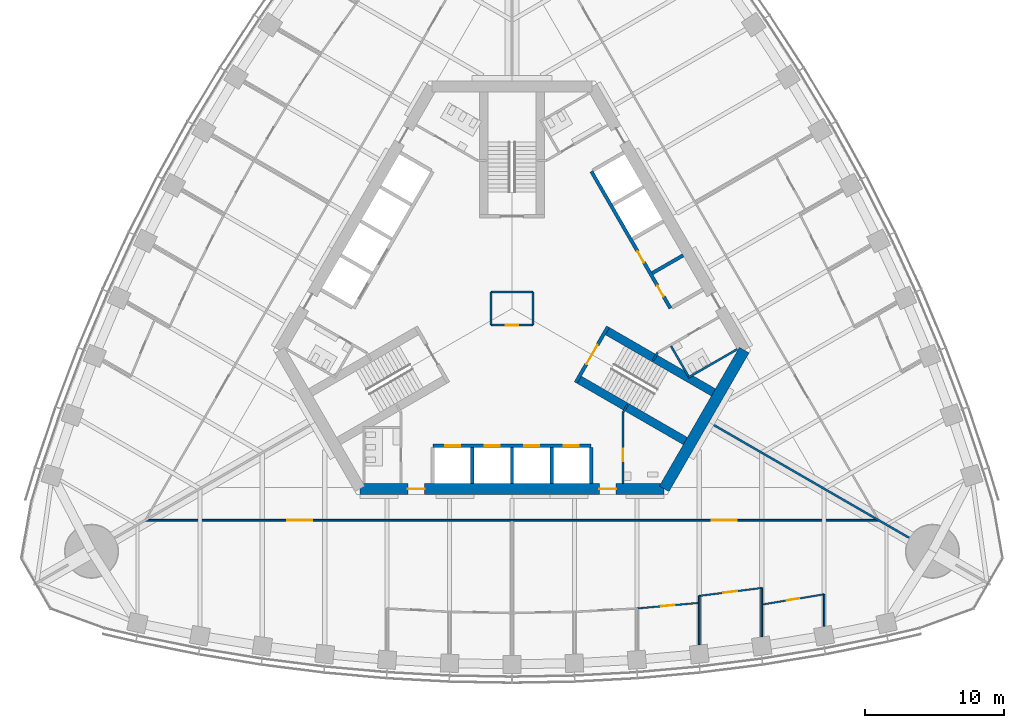
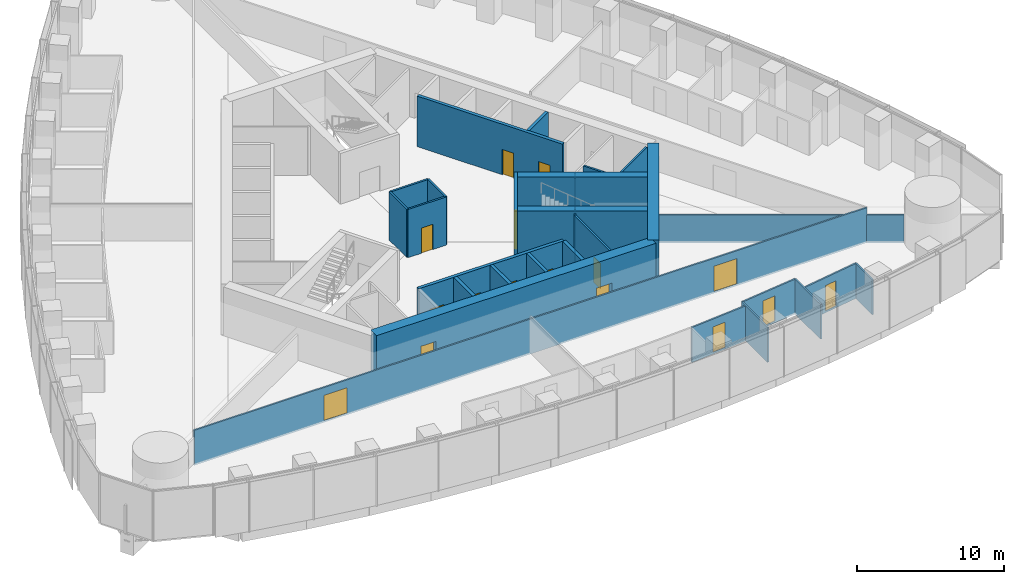
# One storey, part 12 of 19: 29 walls, 16 doors, 16 openings.
"""IFC4 building model written with IfcOpenShell, lengths in metres."""

from ifc_helpers import new_model, si_unit, direction, frame, frame_2d, origin, place, context, subcontext, project, spatial, rectangle, extrude, material, layer, layer_set, type_object, element, fill, save


model = new_model("IFC4")

# Units and contexts
model_context = context("Model", 3, precision=1e-05, world=origin(), true_north=direction((0.0, 1.0)))
body_context = subcontext(model_context, "Body", "Model", "MODEL_VIEW")
ifc_project = project(units=[si_unit("LENGTHUNIT", "METRE"), si_unit("AREAUNIT", "SQUARE_METRE"), si_unit("VOLUMEUNIT", "CUBIC_METRE"), si_unit("PLANEANGLEUNIT", "RADIAN"), si_unit("MASSUNIT", "GRAM", prefix="KILO")], contexts=[model_context])

# Site, building, storey
site_placement = place(None, origin())
site = spatial("IfcSite", under=ifc_project, at=site_placement, CompositionType="ELEMENT")
building_placement = place(site_placement, origin())
building = spatial("IfcBuilding", under=site, at=building_placement, Name="Trefoil Bronze Tower", CompositionType="ELEMENT")
storey_placement = place(building_placement, frame((0.0, 0.0, 132.5)))
storey = spatial("IfcBuildingStorey", under=building, at=storey_placement, Name="L30", CompositionType="ELEMENT", Elevation=132.5)

# Wall, openings, doors
ifc_material_1 = material(Name="Concrete B80", Category="concrete")
ifc_layer_1 = layer(ifc_material_1, 0.800048828125)
ifc_layer_set_1 = layer_set([ifc_layer_1], Name="Core wall 800")
wall_type_1 = type_object("IfcWallType", Name="Core wall 800", PredefinedType="SHEAR", material=ifc_layer_set_1)
wall_1_placement = place(storey_placement, frame((-10.9697265625, -13.0, 0.0), z_axis=(0.0, 0.0, 1.0), x_axis=(1.0, 0.0, 0.0)))
wall_1 = element("IfcWall", 1, at=wall_1_placement, inside=storey, type_object=wall_type_1, Name="Core long wall 1 L30", PredefinedType="SHEAR", context=body_context, shape_type="SweptSolid", body=[
    extrude(rectangle(XDim=21.939453125, YDim=0.800048828125, at=frame_2d((10.9697265625, 0.0))), origin(), (0.0, 0.0, 1.0), 4.199951171875),
])
opening_1_placement = place(wall_1_placement, frame((17.269775390625, 0.0, 0.0)))
opening_1 = element("IfcOpeningElement", 2, at=opening_1_placement, cuts=wall_1, Name="Opening D2", PredefinedType="OPENING", context=body_context, shape_type="SweptSolid", body=[
    extrude(rectangle(XDim=1.199951171875, YDim=2.10009765625, at=frame_2d((0.60009765625, 1.050048828125))), frame((0.0, 0.409912109375, 0.0), z_axis=(0.0, -1.0, 0.0), x_axis=(1.0, 0.0, 0.0)), (0.0, 0.0, 1.0), 0.820068359375),
])
opening_2_placement = place(wall_1_placement, frame((3.4697265625, 0.0, 0.0)))
opening_2 = element("IfcOpeningElement", 3, at=opening_2_placement, cuts=wall_1, Name="Opening D2", PredefinedType="OPENING", context=body_context, shape_type="SweptSolid", body=[
    extrude(rectangle(XDim=1.199951171875, YDim=2.10009765625, at=frame_2d((0.60009765625, 1.050048828125))), frame((0.0, 0.409912109375, 0.0), z_axis=(0.0, -1.0, 0.0), x_axis=(1.0, 0.0, 0.0)), (0.0, 0.0, 1.0), 0.820068359375),
])
ifc_material_2 = material(Name="Steel door", Category="steel")
door_type_1 = type_object("IfcDoorType", Name="Lobby door 1200", OperationType="SINGLE_SWING_RIGHT", PredefinedType="DOOR", material=ifc_material_2)
door_1_placement = place(opening_1_placement, origin())
door_1 = element("IfcDoor", 4, at=door_1_placement, inside=storey, type_object=door_type_1, Name="Lobby door F1+ L30", OperationType="SINGLE_SWING_RIGHT", OverallHeight=2.10009765625, OverallWidth=1.199951171875, PredefinedType="DOOR", context=body_context, shape_type="SweptSolid", body=[
    extrude(rectangle(XDim=1.199951171875, YDim=2.10009765625, at=frame_2d((0.60009765625, 1.050048828125))), frame((0.0, 0.02490234375, 0.0), z_axis=(0.0, -1.0, 0.0), x_axis=(1.0, 0.0, 0.0)), (0.0, 0.0, 1.0), 0.050048828125),
])
fill(opening_1, door_1)
door_2_placement = place(opening_2_placement, origin())
door_2 = element("IfcDoor", 5, at=door_2_placement, inside=storey, type_object=door_type_1, Name="Lobby door F1- L30", OperationType="SINGLE_SWING_LEFT", OverallHeight=2.10009765625, OverallWidth=1.199951171875, PredefinedType="DOOR", context=body_context, shape_type="SweptSolid", body=[
    extrude(rectangle(XDim=1.199951171875, YDim=2.10009765625, at=frame_2d((0.60009765625, 1.050048828125))), frame((0.0, 0.02490234375, 0.0), z_axis=(0.0, -1.0, 0.0), x_axis=(1.0, 0.0, 0.0)), (0.0, 0.0, 1.0), 0.050048828125),
])
fill(opening_2, door_2)

# Wall
wall_2_placement = place(storey_placement, frame((10.9697265625, -13.0, 0.0), z_axis=(0.0, 0.0, 1.0), x_axis=(0.499995765644, 0.866027848477, 0.0)))
element("IfcWall", 6, at=wall_2_placement, inside=storey, type_object=wall_type_1, Name="Core short wall 1 L30", PredefinedType="SHEAR", context=body_context, shape_type="SweptSolid", body=[
    extrude(rectangle(XDim=11.546875, YDim=0.800048828125, at=frame_2d((5.7734375, 0.0))), origin(), (0.0, 0.0, 1.0), 4.199951171875),
])

# Wall, openings, doors
ifc_material_3 = material(Name="Glazed partition", Category="glass")
ifc_layer_2 = layer(ifc_material_3, 0.1201171875)
ifc_layer_set_2 = layer_set([ifc_layer_2], Name="Glazed partition 120")
wall_type_2 = type_object("IfcWallType", Name="Glazed partition 120", PredefinedType="PARTITIONING", material=ifc_layer_set_2)
wall_3_placement = place(storey_placement, frame((-26.398193359375, -15.260009765625, 0.0), z_axis=(0.0, 0.0, 1.0), x_axis=(1.0, 0.0, 0.0)))
wall_3 = element("IfcWall", 7, at=wall_3_placement, inside=storey, type_object=wall_type_2, Name="Partition F1 L30", PredefinedType="PARTITIONING", context=body_context, shape_type="SweptSolid", body=[
    extrude(rectangle(XDim=52.79638671875, YDim=0.1201171875, at=frame_2d((26.398193359375, 0.0))), origin(), (0.0, 0.0, 1.0), 2.89990234375),
])
opening_3_placement = place(wall_3_placement, frame((10.199951171875, 0.0, 0.14990234375)))
opening_3 = element("IfcOpeningElement", 8, at=opening_3_placement, cuts=wall_3, Name="Opening D10", PredefinedType="OPENING", context=body_context, shape_type="SweptSolid", body=[
    extrude(rectangle(XDim=1.800048828125, YDim=2.10009765625, at=frame_2d((0.89990234375, 1.050048828125))), frame((0.0, 0.070068359375, 0.0), z_axis=(0.0, -1.0, 0.0), x_axis=(1.0, 0.0, 0.0)), (0.0, 0.0, 1.0), 0.14013671875),
])
opening_4_placement = place(wall_3_placement, frame((40.800048828125, 0.0, 0.14990234375)))
opening_4 = element("IfcOpeningElement", 9, at=opening_4_placement, cuts=wall_3, Name="Opening D10", PredefinedType="OPENING", context=body_context, shape_type="SweptSolid", body=[
    extrude(rectangle(XDim=1.800048828125, YDim=2.10009765625, at=frame_2d((0.89990234375, 1.050048828125))), frame((0.0, 0.070068359375, 0.0), z_axis=(0.0, -1.0, 0.0), x_axis=(1.0, 0.0, 0.0)), (0.0, 0.0, 1.0), 0.14013671875),
])
ifc_material_4 = material(Name="Timber door", Category="wood")
door_type_2 = type_object("IfcDoorType", Name="Double door 1800", OperationType="DOUBLE_DOOR_SINGLE_SWING", PredefinedType="DOOR", material=ifc_material_4)
door_3_placement = place(opening_3_placement, origin())
door_3 = element("IfcDoor", 10, at=door_3_placement, inside=storey, type_object=door_type_2, Name="Corridor door F1 L30", OperationType="DOUBLE_DOOR_SINGLE_SWING", OverallHeight=2.10009765625, OverallWidth=1.800048828125, PredefinedType="DOOR", context=body_context, shape_type="SweptSolid", body=[
    extrude(rectangle(XDim=1.800048828125, YDim=2.10009765625, at=frame_2d((0.89990234375, 1.050048828125))), frame((0.0, 0.02490234375, 0.0), z_axis=(0.0, -1.0, 0.0), x_axis=(1.0, 0.0, 0.0)), (0.0, 0.0, 1.0), 0.050048828125),
])
fill(opening_3, door_3)
door_4_placement = place(opening_4_placement, origin())
door_4 = element("IfcDoor", 11, at=door_4_placement, inside=storey, type_object=door_type_2, Name="Corridor door F1 L30", OperationType="DOUBLE_DOOR_SINGLE_SWING", OverallHeight=2.10009765625, OverallWidth=1.800048828125, PredefinedType="DOOR", context=body_context, shape_type="SweptSolid", body=[
    extrude(rectangle(XDim=1.800048828125, YDim=2.10009765625, at=frame_2d((0.89990234375, 1.050048828125))), frame((0.0, 0.02490234375, 0.0), z_axis=(0.0, -1.0, 0.0), x_axis=(1.0, 0.0, 0.0)), (0.0, 0.0, 1.0), 0.050048828125),
])
fill(opening_4, door_4)

# Wall, opening, door
wall_4_placement = place(storey_placement, frame((13.5, -20.7177734375, 0.0), z_axis=(0.0, 0.0, 1.0), x_axis=(0.992010652594, 0.12615413247, 0.0)))
wall_4 = element("IfcWall", 12, at=wall_4_placement, inside=storey, type_object=wall_type_2, Name="Partition F1 L30", PredefinedType="PARTITIONING", context=body_context, shape_type="SweptSolid", body=[
    extrude(rectangle(XDim=4.5361328125, YDim=0.1201171875, at=frame_2d((2.26806640625, 0.0))), origin(), (0.0, 0.0, 1.0), 2.89990234375),
])
opening_5_placement = place(wall_4_placement, frame((1.75, 0.0, 0.14990234375)))
opening_5 = element("IfcOpeningElement", 13, at=opening_5_placement, cuts=wall_4, Name="Opening D9", PredefinedType="OPENING", context=body_context, shape_type="SweptSolid", body=[
    extrude(rectangle(XDim=1.0, YDim=2.10009765625, at=frame_2d((0.5, 1.050048828125))), frame((0.0, 0.070068359375, 0.0), z_axis=(0.0, -1.0, 0.0), x_axis=(1.0, 0.0, 0.0)), (0.0, 0.0, 1.0), 0.14013671875),
])
ifc_material_5 = material(Name="Glazed timber door", Category="wood")
door_type_3 = type_object("IfcDoorType", Name="Meeting room door 1000", OperationType="SINGLE_SWING_LEFT", PredefinedType="DOOR", material=ifc_material_5)
door_5_placement = place(opening_5_placement, frame((1.0, 0.0, 0.0), z_axis=(0.0, 0.0, 1.0), x_axis=(-1.0, 0.0, 0.0)))
door_5 = element("IfcDoor", 14, at=door_5_placement, inside=storey, type_object=door_type_3, Name="Meeting room door F1 L30", OperationType="SINGLE_SWING_RIGHT", OverallHeight=2.10009765625, OverallWidth=1.0, PredefinedType="DOOR", context=body_context, shape_type="SweptSolid", body=[
    extrude(rectangle(XDim=1.0, YDim=2.10009765625, at=frame_2d((0.5, 1.050048828125))), frame((0.0, 0.02490234375, 0.0), z_axis=(0.0, -1.0, 0.0), x_axis=(1.0, 0.0, 0.0)), (0.0, 0.0, 1.0), 0.050048828125),
])
fill(opening_5, door_5)

wall_5_placement = place(storey_placement, frame((18.0, -21.345458984375, 0.0), z_axis=(0.0, 0.0, 1.0), x_axis=(0.986764681833, 0.162158757664, 0.0)))
wall_5 = element("IfcWall", 15, at=wall_5_placement, inside=storey, type_object=wall_type_2, Name="Partition F1 L30", PredefinedType="PARTITIONING", context=body_context, shape_type="SweptSolid", body=[
    extrude(rectangle(XDim=4.560302734375, YDim=0.1201171875, at=frame_2d((2.2802734375, 0.0))), origin(), (0.0, 0.0, 1.0), 2.89990234375),
])
opening_6_placement = place(wall_5_placement, frame((1.85009765625, 0.0, 0.14990234375)))
opening_6 = element("IfcOpeningElement", 16, at=opening_6_placement, cuts=wall_5, Name="Opening D8", PredefinedType="OPENING", context=body_context, shape_type="SweptSolid", body=[
    extrude(rectangle(XDim=0.89990234375, YDim=2.10009765625, at=frame_2d((0.449951171875, 1.050048828125))), frame((0.0, 0.070068359375, 0.0), z_axis=(0.0, -1.0, 0.0), x_axis=(1.0, 0.0, 0.0)), (0.0, 0.0, 1.0), 0.14013671875),
])
ifc_material_6 = material(Name="Timber door", Category="wood")
door_type_4 = type_object("IfcDoorType", Name="Office door 900", OperationType="SINGLE_SWING_LEFT", PredefinedType="DOOR", material=ifc_material_6)
door_6_placement = place(opening_6_placement, frame((0.89990234375, 0.0, 0.0), z_axis=(0.0, 0.0, 1.0), x_axis=(-1.0, 0.0, 0.0)))
door_6 = element("IfcDoor", 17, at=door_6_placement, inside=storey, type_object=door_type_4, Name="Pantry door F1 L30", OperationType="SINGLE_SWING_LEFT", OverallHeight=2.10009765625, OverallWidth=0.89990234375, PredefinedType="DOOR", context=body_context, shape_type="SweptSolid", body=[
    extrude(rectangle(XDim=0.89990234375, YDim=2.10009765625, at=frame_2d((0.449951171875, 1.050048828125))), frame((0.0, 0.02490234375, 0.0), z_axis=(0.0, -1.0, 0.0), x_axis=(1.0, 0.0, 0.0)), (0.0, 0.0, 1.0), 0.050048828125),
])
fill(opening_6, door_6)

wall_6_placement = place(storey_placement, frame((9.0, -21.625, 0.0), z_axis=(0.0, 0.0, 1.0), x_axis=(0.995930325215, 0.090126507295, 0.0)))
wall_6 = element("IfcWall", 18, at=wall_6_placement, inside=storey, type_object=wall_type_2, Name="Partition F1 L30", PredefinedType="PARTITIONING", context=body_context, shape_type="SweptSolid", body=[
    extrude(rectangle(XDim=4.518310546875, YDim=0.1201171875, at=frame_2d((2.25927734375, 0.0))), origin(), (0.0, 0.0, 1.0), 2.89990234375),
])
opening_7_placement = place(wall_6_placement, frame((1.75, 0.0, 0.14990234375)))
opening_7 = element("IfcOpeningElement", 19, at=opening_7_placement, cuts=wall_6, Name="Opening D9", PredefinedType="OPENING", context=body_context, shape_type="SweptSolid", body=[
    extrude(rectangle(XDim=1.0, YDim=2.10009765625, at=frame_2d((0.5, 1.050048828125))), frame((0.0, 0.070068359375, 0.0), z_axis=(0.0, -1.0, 0.0), x_axis=(1.0, 0.0, 0.0)), (0.0, 0.0, 1.0), 0.14013671875),
])
door_7_placement = place(opening_7_placement, frame((1.0, 0.0, 0.0), z_axis=(0.0, 0.0, 1.0), x_axis=(-1.0, 0.0, 0.0)))
door_7 = element("IfcDoor", 20, at=door_7_placement, inside=storey, type_object=door_type_3, Name="Project room door F1 L30", OperationType="SINGLE_SWING_RIGHT", OverallHeight=2.10009765625, OverallWidth=1.0, PredefinedType="DOOR", context=body_context, shape_type="SweptSolid", body=[
    extrude(rectangle(XDim=1.0, YDim=2.10009765625, at=frame_2d((0.5, 1.050048828125))), frame((0.0, 0.02490234375, 0.0), z_axis=(0.0, -1.0, 0.0), x_axis=(1.0, 0.0, 0.0)), (0.0, 0.0, 1.0), 0.050048828125),
])
fill(opening_7, door_7)

# Walls
wall_7_placement = place(storey_placement, frame((13.5, -20.7177734375, 0.0), z_axis=(0.0, 0.0, 1.0), x_axis=(0.0, -1.0, 0.0)))
element("IfcWall", 21, at=wall_7_placement, inside=storey, type_object=wall_type_2, Name="Partition F1 L30", PredefinedType="PARTITIONING", context=body_context, shape_type="SweptSolid", body=[
    extrude(rectangle(XDim=3.511474609375, YDim=0.1201171875, at=frame_2d((1.755859375, 0.0))), origin(), (0.0, 0.0, 1.0), 2.89990234375),
])
wall_8_placement = place(storey_placement, frame((18.0, -20.1455078125, 0.0), z_axis=(0.0, 0.0, 1.0), x_axis=(0.0, -1.0, 0.0)))
element("IfcWall", 22, at=wall_8_placement, inside=storey, type_object=wall_type_2, Name="Partition F1 L30", PredefinedType="PARTITIONING", context=body_context, shape_type="SweptSolid", body=[
    extrude(rectangle(XDim=3.504638671875, YDim=0.1201171875, at=frame_2d((1.75244140625, 0.0))), origin(), (0.0, 0.0, 1.0), 2.89990234375),
])
wall_9_placement = place(storey_placement, frame((22.5, -20.60595703125, 0.0), z_axis=(0.0, 0.0, 1.0), x_axis=(0.0, -1.0, 0.0)))
element("IfcWall", 23, at=wall_9_placement, inside=storey, type_object=wall_type_2, Name="Partition F1 L30", PredefinedType="PARTITIONING", context=body_context, shape_type="SweptSolid", body=[
    extrude(rectangle(XDim=2.29541015625, YDim=0.1201171875, at=frame_2d((1.147705078125, 0.0))), origin(), (0.0, 0.0, 1.0), 2.89990234375),
])

# Wall, opening, door
ifc_material_7 = material(Name="Gypsum board on steel studs", Category="steel")
ifc_layer_3 = layer(ifc_material_7, 0.14990234375)
ifc_layer_set_3 = layer_set([ifc_layer_3], Name="Partition 150")
wall_type_3 = type_object("IfcWallType", Name="Partition 150", PredefinedType="PARTITIONING", material=ifc_layer_set_3)
wall_10_placement = place(storey_placement, frame((8.0, -7.5, 0.0), z_axis=(0.0, 0.0, 1.0), x_axis=(0.0, -1.0, 0.0)))
wall_10 = element("IfcWall", 24, at=wall_10_placement, inside=storey, type_object=wall_type_3, Name="Passage wall F1+ L30", PredefinedType="PARTITIONING", context=body_context, shape_type="SweptSolid", body=[
    extrude(rectangle(XDim=5.10009765625, YDim=0.14990234375, at=frame_2d((2.550048828125, 0.0))), origin(), (0.0, 0.0, 1.0), 4.0),
])
opening_8_placement = place(wall_10_placement, frame((2.60009765625, 0.0, 0.0)))
opening_8 = element("IfcOpeningElement", 25, at=opening_8_placement, cuts=wall_10, Name="Opening D3", PredefinedType="OPENING", context=body_context, shape_type="SweptSolid", body=[
    extrude(rectangle(XDim=0.89990234375, YDim=2.10009765625, at=frame_2d((0.449951171875, 1.050048828125))), frame((0.0, 0.0849609375, 0.0), z_axis=(0.0, -1.0, 0.0), x_axis=(1.0, 0.0, 0.0)), (0.0, 0.0, 1.0), 0.169921875),
])
ifc_material_8 = material(Name="Timber door", Category="wood")
door_type_5 = type_object("IfcDoorType", Name="WC door 900", OperationType="SINGLE_SWING_LEFT", PredefinedType="DOOR", material=ifc_material_8)
door_8_placement = place(opening_8_placement, origin())
door_8 = element("IfcDoor", 26, at=door_8_placement, inside=storey, type_object=door_type_5, Name="Accessible WC door L30", OperationType="SINGLE_SWING_RIGHT", OverallHeight=2.10009765625, OverallWidth=0.89990234375, PredefinedType="DOOR", context=body_context, shape_type="SweptSolid", body=[
    extrude(rectangle(XDim=0.89990234375, YDim=2.10009765625, at=frame_2d((0.449951171875, 1.050048828125))), frame((0.0, 0.02490234375, 0.0), z_axis=(0.0, -1.0, 0.0), x_axis=(1.0, 0.0, 0.0)), (0.0, 0.0, 1.0), 0.050048828125),
])
fill(opening_8, door_8)

# Walls
for number, where, z_axis, x_axis, name in (
    (27, (8.0, -7.5, 0.0), (0.0, 0.0, 1.0), (0.499842556608, 0.866116284689, 0.0), "WC wall ST1-1 L30"),
    (28, (10.4951171875, -3.17822265625, 0.0), (0.0, 0.0, 1.0), (-0.499842556608, -0.866116284689, 0.0), "WC wall ST1+1 L30"),
):
    element("IfcWall", number, at=place(storey_placement, frame(where, z_axis=z_axis, x_axis=x_axis)), inside=storey, type_object=wall_type_3, Name=name, PredefinedType="PARTITIONING", context=body_context, shape_type="SweptSolid", body=[
        extrude(rectangle(XDim=0.645263671875, YDim=0.14990234375, at=frame_2d((0.32275390625, 0.0))), origin(), (0.0, 0.0, 1.0), 4.0),
    ])
wall_11_placement = place(storey_placement, frame((12.691162109375, -4.98193359375, 0.0), z_axis=(0.0, 0.0, 1.0), x_axis=(0.8660249478, 0.500000789788, 0.0)))
element("IfcWall", 29, at=wall_11_placement, inside=storey, type_object=wall_type_3, Name="WC partition WC (women) L30", PredefinedType="PARTITIONING", context=body_context, shape_type="SweptSolid", body=[
    extrude(rectangle(XDim=4.10009765625, YDim=0.14990234375, at=frame_2d((2.050048828125, 0.0))), origin(), (0.0, 0.0, 1.0), 4.0),
])
wall_12_placement = place(storey_placement, frame((11.463623046875, -2.70556640625, 0.0), z_axis=(0.0, 0.0, 1.0), x_axis=(0.50001992892, -0.866013897511, 0.0)))
element("IfcWall", 30, at=wall_12_placement, inside=storey, type_object=wall_type_3, Name="WC partition WC (women) L30", PredefinedType="PARTITIONING", context=body_context, shape_type="SweptSolid", body=[
    extrude(rectangle(XDim=2.51025390625, YDim=0.14990234375, at=frame_2d((1.255126953125, 0.0))), origin(), (0.0, 0.0, 1.0), 4.0),
])
ifc_material_9 = material(Name="Gypsum board on steel studs", Category="steel")
ifc_layer_4 = layer(ifc_material_9, 0.14990234375)
ifc_layer_set_4 = layer_set([ifc_layer_4], Name="Party wall 150")
wall_type_4 = type_object("IfcWallType", Name="Party wall 150", PredefinedType="PARTITIONING", material=ifc_layer_set_4)
wall_13_placement = place(storey_placement, frame((14.202880859375, -8.199951171875, 0.0), z_axis=(0.0, 0.0, 1.0), x_axis=(0.866024668836, -0.500001272966, 0.0)))
element("IfcWall", 31, at=wall_13_placement, inside=storey, type_object=wall_type_4, Name="Party wall K1 L30", PredefinedType="PARTITIONING", context=body_context, shape_type="SweptSolid", body=[
    extrude(rectangle(XDim=16.64990234375, YDim=0.14990234375, at=frame_2d((8.324951171875, 0.0))), origin(), (0.0, 0.0, 1.0), 2.300048828125),
])

# Wall, opening, door
ifc_material_10 = material(Name="Gypsum board on steel studs", Category="steel")
ifc_layer_5 = layer(ifc_material_10, 0.14990234375)
ifc_layer_set_5 = layer_set([ifc_layer_5], Name="Riser wall 150")
wall_type_5 = type_object("IfcWallType", Name="Riser wall 150", PredefinedType="PARTITIONING", material=ifc_layer_set_5)
wall_14_placement = place(storey_placement, frame((-1.5, -1.199951171875, 0.0), z_axis=(0.0, 0.0, 1.0), x_axis=(1.0, 0.0, 0.0)))
wall_14 = element("IfcWall", 32, at=wall_14_placement, inside=storey, type_object=wall_type_5, Name="Riser wall L30", PredefinedType="PARTITIONING", context=body_context, shape_type="SweptSolid", body=[
    extrude(rectangle(XDim=3.0, YDim=0.14990234375, at=frame_2d((1.5, 0.0))), origin(), (0.0, 0.0, 1.0), 4.0),
])
opening_9_placement = place(wall_14_placement, frame((1.050048828125, 0.0, 0.0)))
opening_9 = element("IfcOpeningElement", 33, at=opening_9_placement, cuts=wall_14, Name="Opening D4", PredefinedType="OPENING", context=body_context, shape_type="SweptSolid", body=[
    extrude(rectangle(XDim=0.89990234375, YDim=2.10009765625, at=frame_2d((0.449951171875, 1.050048828125))), frame((0.0, 0.0849609375, 0.0), z_axis=(0.0, -1.0, 0.0), x_axis=(1.0, 0.0, 0.0)), (0.0, 0.0, 1.0), 0.169921875),
])
ifc_material_11 = material(Name="Steel door", Category="steel")
door_type_6 = type_object("IfcDoorType", Name="Riser door 900", OperationType="SINGLE_SWING_LEFT", PredefinedType="DOOR", material=ifc_material_11)
door_9_placement = place(opening_9_placement, frame((0.89990234375, 0.0, 0.0), z_axis=(0.0, 0.0, 1.0), x_axis=(-1.0, 0.0, 0.0)))
door_9 = element("IfcDoor", 34, at=door_9_placement, inside=storey, type_object=door_type_6, Name="Riser door L30", OperationType="SINGLE_SWING_LEFT", OverallHeight=2.10009765625, OverallWidth=0.89990234375, PredefinedType="DOOR", context=body_context, shape_type="SweptSolid", body=[
    extrude(rectangle(XDim=0.89990234375, YDim=2.10009765625, at=frame_2d((0.449951171875, 1.050048828125))), frame((0.0, 0.02490234375, 0.0), z_axis=(0.0, -1.0, 0.0), x_axis=(1.0, 0.0, 0.0)), (0.0, 0.0, 1.0), 0.050048828125),
])
fill(opening_9, door_9)

# Walls
wall_15_placement = place(storey_placement, frame((1.5, -1.199951171875, 0.0), z_axis=(0.0, 0.0, 1.0), x_axis=(0.0, 1.0, 0.0)))
element("IfcWall", 35, at=wall_15_placement, inside=storey, type_object=wall_type_5, Name="Riser wall L30", PredefinedType="PARTITIONING", context=body_context, shape_type="SweptSolid", body=[
    extrude(rectangle(XDim=2.39990234375, YDim=0.14990234375, at=frame_2d((1.199951171875, 0.0))), origin(), (0.0, 0.0, 1.0), 4.0),
])
wall_16_placement = place(storey_placement, frame((1.5, 1.199951171875, 0.0), z_axis=(0.0, 0.0, 1.0), x_axis=(-1.0, 0.0, 0.0)))
element("IfcWall", 36, at=wall_16_placement, inside=storey, type_object=wall_type_5, Name="Riser wall L30", PredefinedType="PARTITIONING", context=body_context, shape_type="SweptSolid", body=[
    extrude(rectangle(XDim=3.0, YDim=0.14990234375, at=frame_2d((1.5, 0.0))), origin(), (0.0, 0.0, 1.0), 4.0),
])
wall_17_placement = place(storey_placement, frame((-1.5, 1.199951171875, 0.0), z_axis=(0.0, 0.0, 1.0), x_axis=(0.0, -1.0, 0.0)))
element("IfcWall", 37, at=wall_17_placement, inside=storey, type_object=wall_type_5, Name="Riser wall L30", PredefinedType="PARTITIONING", context=body_context, shape_type="SweptSolid", body=[
    extrude(rectangle(XDim=2.39990234375, YDim=0.14990234375, at=frame_2d((1.199951171875, 0.0))), origin(), (0.0, 0.0, 1.0), 4.0),
])

# Wall, openings, doors
ifc_material_12 = material(Name="Concrete B80", Category="concrete")
ifc_layer_6 = layer(ifc_material_12, 0.25)
ifc_layer_set_6 = layer_set([ifc_layer_6], Name="Shaft wall 250")
wall_type_6 = type_object("IfcWallType", Name="Shaft wall 250", PredefinedType="SHEAR", material=ifc_layer_set_6)
wall_18_placement = place(storey_placement, frame((-5.699951171875, -9.89990234375, 0.0), z_axis=(0.0, 0.0, 1.0), x_axis=(1.0, 0.0, 0.0)))
wall_18 = element("IfcWall", 38, at=wall_18_placement, inside=storey, type_object=wall_type_6, Name="Lift shaft front wall A L30", PredefinedType="SHEAR", context=body_context, shape_type="SweptSolid", body=[
    extrude(rectangle(XDim=11.39990234375, YDim=0.25, at=frame_2d((5.699951171875, 0.0))), origin(), (0.0, 0.0, 1.0), 4.199951171875),
])
opening_10_placement = place(wall_18_placement, frame((0.875, 0.0, 0.0)))
opening_10 = element("IfcOpeningElement", 39, at=opening_10_placement, cuts=wall_18, Name="Opening LD-P21", PredefinedType="OPENING", context=body_context, shape_type="SweptSolid", body=[
    extrude(rectangle(XDim=1.10009765625, YDim=2.199951171875, at=frame_2d((0.550048828125, 1.10009765625))), frame((0.0, 0.135009765625, 0.0), z_axis=(0.0, -1.0, 0.0), x_axis=(1.0, 0.0, 0.0)), (0.0, 0.0, 1.0), 0.27001953125),
])
opening_11_placement = place(wall_18_placement, frame((3.72509765625, 0.0, 0.0)))
opening_11 = element("IfcOpeningElement", 40, at=opening_11_placement, cuts=wall_18, Name="Opening LD-P22", PredefinedType="OPENING", context=body_context, shape_type="SweptSolid", body=[
    extrude(rectangle(XDim=1.10009765625, YDim=2.199951171875, at=frame_2d((0.550048828125, 1.10009765625))), frame((0.0, 0.135009765625, 0.0), z_axis=(0.0, -1.0, 0.0), x_axis=(1.0, 0.0, 0.0)), (0.0, 0.0, 1.0), 0.27001953125),
])
opening_12_placement = place(wall_18_placement, frame((6.574951171875, 0.0, 0.0)))
opening_12 = element("IfcOpeningElement", 41, at=opening_12_placement, cuts=wall_18, Name="Opening LD-P23", PredefinedType="OPENING", context=body_context, shape_type="SweptSolid", body=[
    extrude(rectangle(XDim=1.10009765625, YDim=2.199951171875, at=frame_2d((0.550048828125, 1.10009765625))), frame((0.0, 0.135009765625, 0.0), z_axis=(0.0, -1.0, 0.0), x_axis=(1.0, 0.0, 0.0)), (0.0, 0.0, 1.0), 0.27001953125),
])
opening_13_placement = place(wall_18_placement, frame((9.425048828125, 0.0, 0.0)))
opening_13 = element("IfcOpeningElement", 42, at=opening_13_placement, cuts=wall_18, Name="Opening LD-P24", PredefinedType="OPENING", context=body_context, shape_type="SweptSolid", body=[
    extrude(rectangle(XDim=1.10009765625, YDim=2.199951171875, at=frame_2d((0.550048828125, 1.10009765625))), frame((0.0, 0.135009765625, 0.0), z_axis=(0.0, -1.0, 0.0), x_axis=(1.0, 0.0, 0.0)), (0.0, 0.0, 1.0), 0.27001953125),
])
ifc_material_13 = material(Name="Steel door", Category="steel")
door_type_7 = type_object("IfcDoorType", Name="Lift landing door 1100", OperationType="DOUBLE_DOOR_SLIDING", PredefinedType="DOOR", material=ifc_material_13)
door_10_placement = place(opening_10_placement, origin())
door_10 = element("IfcDoor", 43, at=door_10_placement, inside=storey, type_object=door_type_7, Name="Lift P21 landing door L30", OperationType="DOUBLE_DOOR_SLIDING", OverallHeight=2.199951171875, OverallWidth=1.10009765625, PredefinedType="DOOR", context=body_context, shape_type="SweptSolid", body=[
    extrude(rectangle(XDim=1.10009765625, YDim=2.199951171875, at=frame_2d((0.550048828125, 1.10009765625))), frame((0.0, 0.02490234375, 0.0), z_axis=(0.0, -1.0, 0.0), x_axis=(1.0, 0.0, 0.0)), (0.0, 0.0, 1.0), 0.050048828125),
])
fill(opening_10, door_10)
door_11_placement = place(opening_11_placement, origin())
door_11 = element("IfcDoor", 44, at=door_11_placement, inside=storey, type_object=door_type_7, Name="Lift P22 landing door L30", OperationType="DOUBLE_DOOR_SLIDING", OverallHeight=2.199951171875, OverallWidth=1.10009765625, PredefinedType="DOOR", context=body_context, shape_type="SweptSolid", body=[
    extrude(rectangle(XDim=1.10009765625, YDim=2.199951171875, at=frame_2d((0.550048828125, 1.10009765625))), frame((0.0, 0.02490234375, 0.0), z_axis=(0.0, -1.0, 0.0), x_axis=(1.0, 0.0, 0.0)), (0.0, 0.0, 1.0), 0.050048828125),
])
fill(opening_11, door_11)
door_12_placement = place(opening_12_placement, origin())
door_12 = element("IfcDoor", 45, at=door_12_placement, inside=storey, type_object=door_type_7, Name="Lift P23 landing door L30", OperationType="DOUBLE_DOOR_SLIDING", OverallHeight=2.199951171875, OverallWidth=1.10009765625, PredefinedType="DOOR", context=body_context, shape_type="SweptSolid", body=[
    extrude(rectangle(XDim=1.10009765625, YDim=2.199951171875, at=frame_2d((0.550048828125, 1.10009765625))), frame((0.0, 0.02490234375, 0.0), z_axis=(0.0, -1.0, 0.0), x_axis=(1.0, 0.0, 0.0)), (0.0, 0.0, 1.0), 0.050048828125),
])
fill(opening_12, door_12)
door_13_placement = place(opening_13_placement, origin())
door_13 = element("IfcDoor", 46, at=door_13_placement, inside=storey, type_object=door_type_7, Name="Lift P24 landing door L30", OperationType="DOUBLE_DOOR_SLIDING", OverallHeight=2.199951171875, OverallWidth=1.10009765625, PredefinedType="DOOR", context=body_context, shape_type="SweptSolid", body=[
    extrude(rectangle(XDim=1.10009765625, YDim=2.199951171875, at=frame_2d((0.550048828125, 1.10009765625))), frame((0.0, 0.02490234375, 0.0), z_axis=(0.0, -1.0, 0.0), x_axis=(1.0, 0.0, 0.0)), (0.0, 0.0, 1.0), 0.050048828125),
])
fill(opening_13, door_13)

# Walls
for number, where, z_axis, x_axis, name in (
    (47, (-2.85009765625, -10.02490234375, 0.0), (0.0, 0.0, 1.0), (0.0, -1.0, 0.0), "Lift shaft side wall A1 L30"),
    (48, (0.0, -10.02490234375, 0.0), (0.0, 0.0, 1.0), (0.0, -1.0, 0.0), "Lift shaft side wall A2 L30"),
    (49, (2.85009765625, -10.02490234375, 0.0), (0.0, 0.0, 1.0), (0.0, -1.0, 0.0), "Lift shaft side wall A3 L30"),
    (50, (5.699951171875, -10.02490234375, 0.0), (0.0, 0.0, 1.0), (0.0, -1.0, 0.0), "Lift shaft side wall A4 L30"),
):
    element("IfcWall", number, at=place(storey_placement, frame(where, z_axis=z_axis, x_axis=x_axis)), inside=storey, type_object=wall_type_6, Name=name, PredefinedType="SHEAR", context=body_context, shape_type="SweptSolid", body=[
        extrude(rectangle(XDim=2.5751953125, YDim=0.25, at=frame_2d((1.28759765625, 0.0))), origin(), (0.0, 0.0, 1.0), 4.199951171875),
    ])

# Wall, openings, doors
wall_19_placement = place(storey_placement, frame((11.423583984375, 0.013671875, 0.0), z_axis=(0.0, 0.0, 1.0), x_axis=(-0.500001763848, 0.866024385424, 0.0)))
wall_19 = element("IfcWall", 51, at=wall_19_placement, inside=storey, type_object=wall_type_6, Name="Lift shaft front wall B L30", PredefinedType="SHEAR", context=body_context, shape_type="SweptSolid", body=[
    extrude(rectangle(XDim=11.39990234375, YDim=0.25, at=frame_2d((5.699951171875, 0.0))), origin(), (0.0, 0.0, 1.0), 4.199951171875),
])
opening_14_placement = place(wall_19_placement, frame((0.97509765625, 0.0, 0.0)))
opening_14 = element("IfcOpeningElement", 52, at=opening_14_placement, cuts=wall_19, Name="Opening D12", PredefinedType="OPENING", context=body_context, shape_type="SweptSolid", body=[
    extrude(rectangle(XDim=0.89990234375, YDim=2.10009765625, at=frame_2d((0.449951171875, 1.050048828125))), frame((0.0, 0.135009765625, 0.0), z_axis=(0.0, -1.0, 0.0), x_axis=(1.0, 0.0, 0.0)), (0.0, 0.0, 1.0), 0.27001953125),
])
opening_15_placement = place(wall_19_placement, frame((3.824951171875, 0.0, 0.0)))
opening_15 = element("IfcOpeningElement", 53, at=opening_15_placement, cuts=wall_19, Name="Opening D12", PredefinedType="OPENING", context=body_context, shape_type="SweptSolid", body=[
    extrude(rectangle(XDim=0.89990234375, YDim=2.10009765625, at=frame_2d((0.449951171875, 1.050048828125))), frame((0.0, 0.135009765625, 0.0), z_axis=(0.0, -1.0, 0.0), x_axis=(1.0, 0.0, 0.0)), (0.0, 0.0, 1.0), 0.27001953125),
])
ifc_material_14 = material(Name="Steel door", Category="steel")
door_type_8 = type_object("IfcDoorType", Name="Shaft room door 900", OperationType="SINGLE_SWING_LEFT", PredefinedType="DOOR", material=ifc_material_14)
door_14_placement = place(opening_14_placement, frame((0.89990234375, 0.0, 0.0), z_axis=(0.0, 0.0, 1.0), x_axis=(-1.0, 0.0, 0.0)))
door_14 = element("IfcDoor", 54, at=door_14_placement, inside=storey, type_object=door_type_8, Name="Shaft room door B1 L30", OperationType="SINGLE_SWING_LEFT", OverallHeight=2.10009765625, OverallWidth=0.89990234375, PredefinedType="DOOR", context=body_context, shape_type="SweptSolid", body=[
    extrude(rectangle(XDim=0.89990234375, YDim=2.10009765625, at=frame_2d((0.449951171875, 1.050048828125))), frame((0.0, 0.02490234375, 0.0), z_axis=(0.0, -1.0, 0.0), x_axis=(1.0, 0.0, 0.0)), (0.0, 0.0, 1.0), 0.050048828125),
])
fill(opening_14, door_14)
door_15_placement = place(opening_15_placement, frame((0.89990234375, 0.0, 0.0), z_axis=(0.0, 0.0, 1.0), x_axis=(-1.0, 0.0, 0.0)))
door_15 = element("IfcDoor", 55, at=door_15_placement, inside=storey, type_object=door_type_8, Name="Shaft room door B2 L30", OperationType="SINGLE_SWING_RIGHT", OverallHeight=2.10009765625, OverallWidth=0.89990234375, PredefinedType="DOOR", context=body_context, shape_type="SweptSolid", body=[
    extrude(rectangle(XDim=0.89990234375, YDim=2.10009765625, at=frame_2d((0.449951171875, 1.050048828125))), frame((0.0, 0.02490234375, 0.0), z_axis=(0.0, -1.0, 0.0), x_axis=(1.0, 0.0, 0.0)), (0.0, 0.0, 1.0), 0.050048828125),
])
fill(opening_15, door_15)

# Wall
wall_20_placement = place(storey_placement, frame((10.10693359375, 2.54443359375, 0.0), z_axis=(0.0, 0.0, 1.0), x_axis=(0.866046643894, 0.499963209246, 0.0)))
element("IfcWall", 56, at=wall_20_placement, inside=storey, type_object=wall_type_6, Name="Lift shaft side wall B1 L30", PredefinedType="SHEAR", context=body_context, shape_type="SweptSolid", body=[
    extrude(rectangle(XDim=2.574951171875, YDim=0.25, at=frame_2d((1.28759765625, 0.0))), origin(), (0.0, 0.0, 1.0), 4.199951171875),
])

# Wall, opening, door
wall_21_placement = place(storey_placement, frame((4.5966796875, -5.338623046875, 0.0), z_axis=(0.0, 0.0, 1.0), x_axis=(0.499984536904, 0.866034331223, 0.0)))
wall_21 = element("IfcWall", 57, at=wall_21_placement, inside=storey, type_object=wall_type_6, Name="Stair end wall ST1 L30", PredefinedType="SHEAR", context=body_context, shape_type="SweptSolid", body=[
    extrude(rectangle(XDim=4.650146484375, YDim=0.25, at=frame_2d((2.3251953125, 0.0))), origin(), (0.0, 0.0, 1.0), 4.199951171875),
])
opening_16_placement = place(wall_21_placement, frame((1.52490234375, 0.0, 0.0)))
opening_16 = element("IfcOpeningElement", 58, at=opening_16_placement, cuts=wall_21, Name="Opening D1", PredefinedType="OPENING", context=body_context, shape_type="SweptSolid", body=[
    extrude(rectangle(XDim=1.60009765625, YDim=2.10009765625, at=frame_2d((0.800048828125, 1.050048828125))), frame((0.0, 0.135009765625, 0.0), z_axis=(0.0, -1.0, 0.0), x_axis=(1.0, 0.0, 0.0)), (0.0, 0.0, 1.0), 0.27001953125),
])
ifc_material_15 = material(Name="Steel door", Category="steel")
door_type_9 = type_object("IfcDoorType", Name="Stair door 1600", OperationType="DOUBLE_DOOR_SINGLE_SWING", PredefinedType="DOOR", material=ifc_material_15)
door_16_placement = place(opening_16_placement, frame((1.60009765625, 0.0, 0.0), z_axis=(0.0, 0.0, 1.0), x_axis=(-1.0, 0.0, 0.0)))
door_16 = element("IfcDoor", 59, at=door_16_placement, inside=storey, type_object=door_type_9, Name="Stair door ST1 L30", OperationType="DOUBLE_DOOR_SINGLE_SWING", OverallHeight=2.10009765625, OverallWidth=1.60009765625, PredefinedType="DOOR", context=body_context, shape_type="SweptSolid", body=[
    extrude(rectangle(XDim=1.60009765625, YDim=2.10009765625, at=frame_2d((0.800048828125, 1.050048828125))), frame((0.0, 0.02490234375, 0.0), z_axis=(0.0, -1.0, 0.0), x_axis=(1.0, 0.0, 0.0)), (0.0, 0.0, 1.0), 0.050048828125),
])
fill(opening_16, door_16)

# Walls
ifc_material_16 = material(Name="Concrete B80", Category="concrete")
ifc_layer_7 = layer(ifc_material_16, 0.60009765625)
ifc_layer_set_7 = layer_set([ifc_layer_7], Name="Stair wall 600")
wall_type_7 = type_object("IfcWallType", Name="Stair wall 600", PredefinedType="SHEAR", material=ifc_layer_set_7)
for number, where, z_axis, x_axis, name in (
    (60, (4.638427734375, -5.01611328125, 0.0), (0.0, 0.0, 1.0), (0.866019375473, -0.500010441196, 0.0), "Stair wall ST1 L30"),
    (61, (6.663330078125, -1.5087890625, 0.0), (0.0, 0.0, 1.0), (0.866019375473, -0.500010441196, 0.0), "Stair wall ST1 L30"),
):
    element("IfcWall", number, at=place(storey_placement, frame(where, z_axis=z_axis, x_axis=x_axis)), inside=storey, type_object=wall_type_7, Name=name, PredefinedType="SHEAR", context=body_context, shape_type="SweptSolid", body=[
        extrude(rectangle(XDim=9.074951171875, YDim=0.60009765625, at=frame_2d((4.53759765625, 0.0))), origin(), (0.0, 0.0, 1.0), 4.199951171875),
    ])

save(model, "model.ifc")
